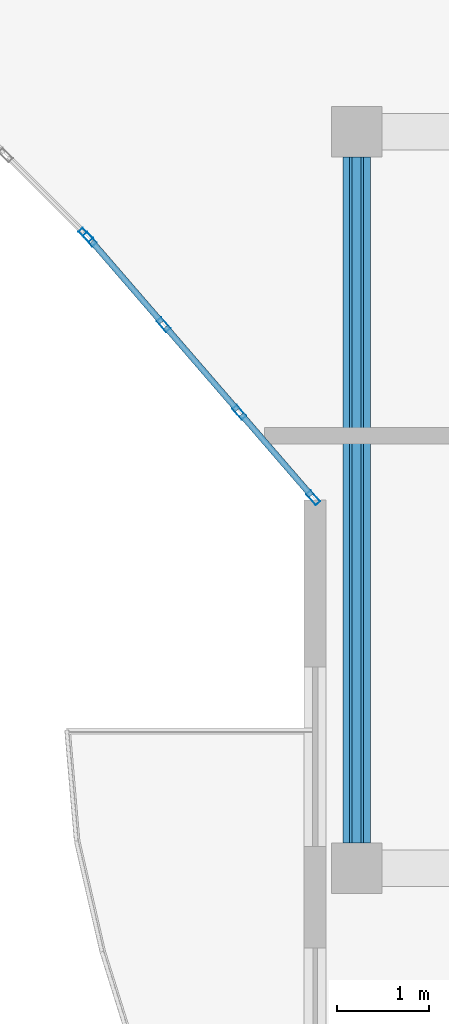
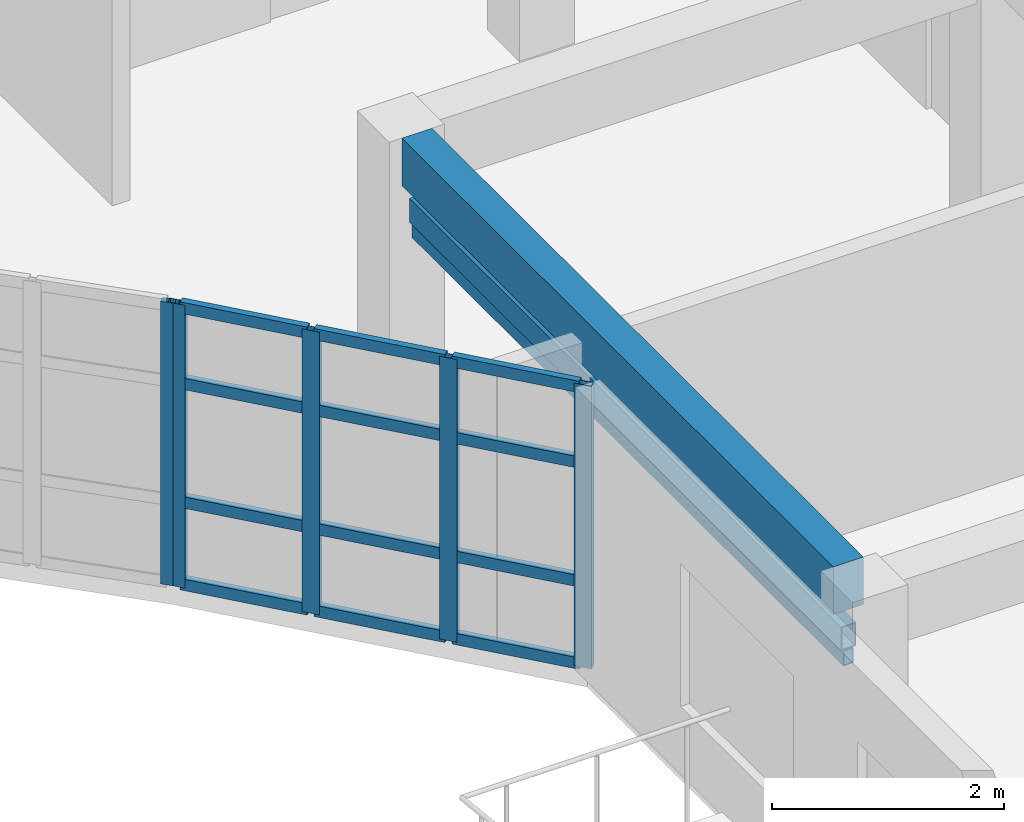
# One storey, part 9 of 49: 19 members, 1 beam, 2 elements without a shape of their own.
"""IFC4 building model written with IfcOpenShell, lengths in metres."""

from ifc_helpers import new_model, si_unit, direction, frame, origin, origin_2d, place, context, subcontext, project, spatial, rectangle, hollow_rectangle, extrude, material, layer, layer_set, material_profile, profile_set, type_object, element, aggregate, save


model = new_model("IFC4")

# Units and contexts
model_context = context("Model", 3, precision=1e-05, world=origin(), true_north=direction((0.0, 1.0)))
body_context = subcontext(model_context, "Body", "Model", "MODEL_VIEW")
ifc_project = project(units=[si_unit("LENGTHUNIT", "METRE"), si_unit("AREAUNIT", "SQUARE_METRE"), si_unit("VOLUMEUNIT", "CUBIC_METRE"), si_unit("PLANEANGLEUNIT", "RADIAN"), si_unit("MASSUNIT", "GRAM", prefix="KILO")], contexts=[model_context])

# Site, building, storey
site_placement = place(None, origin())
site = spatial("IfcSite", under=ifc_project, at=site_placement, CompositionType="ELEMENT")
building_placement = place(site_placement, origin())
building = spatial("IfcBuilding", under=site, at=building_placement, Name="Keldmere Railside Commons", CompositionType="ELEMENT")
storey_placement = place(building_placement, frame((0.0, 0.0, 29.760009765625)))
storey = spatial("IfcBuildingStorey", under=building, at=storey_placement, Name="L09", CompositionType="ELEMENT", Elevation=29.760009765625)

# Member
ifc_material_1 = material(Name="Steel F-36 (S355)", Category="steel")
ifc_material_profile_1 = material_profile(ifc_material_1, hollow_rectangle(XDim=0.14990234375, YDim=0.25, WallThickness=0.010009765625, at=origin_2d()), Name="RHS-250x150x10")
ifc_profile_set_1 = profile_set([ifc_material_profile_1], Name="Steel F-36 (S355)")
member_type_1 = type_object("IfcMemberType", Name="Balcony Continuous Planted Trough RHS250x150", PredefinedType="CHORD", material=ifc_profile_set_1)
member_1_placement = place(storey_placement, frame((104.449951171875, 88.27490234375, 2.4150390625), z_axis=(0.0, 1.0, 0.0), x_axis=(-1.0, 0.0, 0.0)))
element("IfcMember", 1, at=member_1_placement, inside=storey, type_object=member_type_1, Name="PLT-1 MEM-BPLT-0947", PredefinedType="CHORD", context=body_context, shape_type="SweptSolid", body=[
    extrude(hollow_rectangle(XDim=0.14990234375, YDim=0.25, WallThickness=0.010009765625, at=origin_2d()), origin(), (0.0, 0.0, 1.0), 7.4501953125),
])

# Beam
ifc_material_2 = material(Name="Concrete H-30 (C30/37)", Category="concrete")
ifc_material_profile_2 = material_profile(ifc_material_2, rectangle(XDim=0.300048828125, YDim=0.5, at=origin_2d()), Name="RC-300x500")
ifc_profile_set_2 = profile_set([ifc_material_profile_2], Name="Concrete H-30 (C30/37)")
beam_type = type_object("IfcBeamType", Name="Secondary Frame RC Beam 300x500", PredefinedType="BEAM", material=ifc_profile_set_2)
beam_placement = place(storey_placement, frame((104.449951171875, 88.27490234375, 2.949951171875), z_axis=(0.0, 1.0, 0.0), x_axis=(-1.0, 0.0, 0.0)))
element("IfcBeam", 2, at=beam_placement, inside=storey, type_object=beam_type, Name="BG-5 BM-L09-2335", PredefinedType="BEAM", context=body_context, shape_type="SweptSolid", body=[
    extrude(rectangle(XDim=0.300048828125, YDim=0.5, at=origin_2d()), origin(), (0.0, 0.0, 1.0), 7.4501953125),
])

# Member
ifc_material_profile_3 = material_profile(ifc_material_1, hollow_rectangle(XDim=0.10009765625, YDim=0.159912109375, WallThickness=0.008056640625, at=origin_2d()), Name="RHS-160x100x8")
ifc_profile_set_3 = profile_set([ifc_material_profile_3], Name="Steel F-36 (S355)")
member_type_2 = type_object("IfcMemberType", Name="Solar Brise-Soleil Louvre Fin RHS160x100", PredefinedType="STRUT", material=ifc_profile_set_3)
member_2_placement = place(storey_placement, frame((104.449951171875, 88.27490234375, 2.199951171875), z_axis=(0.0, 1.0, 0.0), x_axis=(-1.0, 0.0, 0.0)))
element("IfcMember", 3, at=member_2_placement, inside=storey, type_object=member_type_2, Name="BSF-1 MEM-BSF-0948", PredefinedType="STRUT", context=body_context, shape_type="SweptSolid", body=[
    extrude(hollow_rectangle(XDim=0.10009765625, YDim=0.159912109375, WallThickness=0.008056640625, at=origin_2d()), origin(), (0.0, 0.0, 1.0), 7.4501953125),
])

# Curtain wall, member
ifc_material_3 = material(Name="Thermally Broken Aluminium", Category="aluminium")
ifc_layer_1 = layer(ifc_material_3, 0.159912109375, Name="Court Chord Wintergarden CW 5400x2850")
ifc_layer_set_1 = layer_set([ifc_layer_1], Name="Thermally Broken Aluminium")
curtain_wall_type_1 = type_object("IfcCurtainWallType", Name="Court Chord Wintergarden CW 5400x2850", PredefinedType="NOTDEFINED", material=ifc_layer_set_1)
curtain_wall_1_placement = place(storey_placement, origin())
curtain_wall_1 = element("IfcCurtainWall", 4, at=curtain_wall_1_placement, inside=storey, type_object=curtain_wall_type_1, Name="CW-13 CW-L09-143", PredefinedType="NOTDEFINED")
ifc_material_profile_4 = material_profile(ifc_material_3, hollow_rectangle(XDim=0.06494140625, YDim=0.159912109375, WallThickness=0.00390625, at=origin_2d()), Name="ALU-MULL-65x160")
ifc_profile_set_4 = profile_set([ifc_material_profile_4], Name="Thermally Broken Aluminium")
member_type_3 = type_object("IfcMemberType", Name="Unitised Curtain Wall Mullion 65x160", PredefinedType="MULLION", material=ifc_profile_set_4)
member_3_placement = place(storey_placement, frame((101.507080078125, 94.880859375, 0.0), z_axis=(0.0, 0.0, 1.0), x_axis=(-0.707106781187, -0.707106781187, 0.0)))
member_3 = element("IfcMember", 5, at=member_3_placement, type_object=member_type_3, Name="CW-13 mullion 1", PredefinedType="MULLION", context=body_context, shape_type="SweptSolid", body=[
    extrude(hollow_rectangle(XDim=0.06494140625, YDim=0.159912109375, WallThickness=0.00390625, at=origin_2d()), origin(), (0.0, 0.0, 1.0), 2.97998046875),
])
aggregate(curtain_wall_1, [member_3])

# Curtain wall, members
ifc_layer_2 = layer(ifc_material_3, 0.159912109375, Name="Court Chord Wintergarden CW 4800x2850")
ifc_layer_set_2 = layer_set([ifc_layer_2], Name="Thermally Broken Aluminium")
curtain_wall_type_2 = type_object("IfcCurtainWallType", Name="Court Chord Wintergarden CW 4800x2850", PredefinedType="NOTDEFINED", material=ifc_layer_set_2)
curtain_wall_2_placement = place(storey_placement, origin())
curtain_wall_2 = element("IfcCurtainWall", 6, at=curtain_wall_2_placement, inside=storey, type_object=curtain_wall_type_2, Name="CW-12 CW-L09-144", PredefinedType="NOTDEFINED")
member_4_placement = place(storey_placement, frame((103.978759765625, 92.024658203125, 0.0), z_axis=(0.0, 0.0, 1.0), x_axis=(-0.756596767584, -0.653881741053, 0.0)))
member_4 = element("IfcMember", 7, at=member_4_placement, type_object=member_type_3, Name="CW-12 mullion 1", PredefinedType="MULLION", context=body_context, shape_type="SweptSolid", body=[
    extrude(hollow_rectangle(XDim=0.06494140625, YDim=0.159912109375, WallThickness=0.00390625, at=origin_2d()), origin(), (0.0, 0.0, 1.0), 2.97998046875),
])
member_5_placement = place(storey_placement, frame((103.1767578125, 92.95263671875, 0.0), z_axis=(0.0, 0.0, 1.0), x_axis=(-0.756596767584, -0.653881741053, 0.0)))
member_5 = element("IfcMember", 8, at=member_5_placement, type_object=member_type_3, Name="CW-12 mullion 2", PredefinedType="MULLION", context=body_context, shape_type="SweptSolid", body=[
    extrude(hollow_rectangle(XDim=0.06494140625, YDim=0.159912109375, WallThickness=0.00390625, at=origin_2d()), origin(), (0.0, 0.0, 1.0), 2.97998046875),
])
member_6_placement = place(storey_placement, frame((102.353271484375, 93.9052734375, 0.0), z_axis=(0.0, 0.0, 1.0), x_axis=(-0.756596767584, -0.653881741053, 0.0)))
member_6 = element("IfcMember", 9, at=member_6_placement, type_object=member_type_3, Name="CW-12 mullion 3", PredefinedType="MULLION", context=body_context, shape_type="SweptSolid", body=[
    extrude(hollow_rectangle(XDim=0.06494140625, YDim=0.159912109375, WallThickness=0.00390625, at=origin_2d()), origin(), (0.0, 0.0, 1.0), 2.97998046875),
])
member_7_placement = place(storey_placement, frame((101.55126953125, 94.83349609375, 0.0), z_axis=(0.0, 0.0, 1.0), x_axis=(-0.756596767584, -0.653881741053, 0.0)))
member_7 = element("IfcMember", 10, at=member_7_placement, type_object=member_type_3, Name="CW-12 mullion 4", PredefinedType="MULLION", context=body_context, shape_type="SweptSolid", body=[
    extrude(hollow_rectangle(XDim=0.06494140625, YDim=0.159912109375, WallThickness=0.00390625, at=origin_2d()), origin(), (0.0, 0.0, 1.0), 2.97998046875),
])
ifc_material_profile_5 = material_profile(ifc_material_3, hollow_rectangle(XDim=0.06494140625, YDim=0.1201171875, WallThickness=0.00390625, at=origin_2d()), Name="ALU-TRAN-65x120")
ifc_profile_set_5 = profile_set([ifc_material_profile_5], Name="Thermally Broken Aluminium")
member_type_4 = type_object("IfcMemberType", Name="Unitised Curtain Wall Transom 65x120", PredefinedType="USERDEFINED", material=ifc_profile_set_5)
member_8_placement = place(storey_placement, frame((103.95751953125, 92.049072265625, 0.032470703125), z_axis=(-0.653849663033, 0.756624489527, 0.0), x_axis=(-0.756624489527, -0.653849663033, 0.0)))
member_8 = element("IfcMember", 11, at=member_8_placement, type_object=member_type_4, Name="CW-12 transom 1.1", ObjectType="TRANSOM", PredefinedType="USERDEFINED", context=body_context, shape_type="SweptSolid", body=[
    extrude(hollow_rectangle(XDim=0.06494140625, YDim=0.1201171875, WallThickness=0.00390625, at=origin_2d()), origin(), (0.0, 0.0, 1.0), 1.16162109375),
])
member_9_placement = place(storey_placement, frame((103.95751953125, 92.049072265625, 0.89990234375), z_axis=(-0.653849663033, 0.756624489527, 0.0), x_axis=(-0.756624489527, -0.653849663033, 0.0)))
member_9 = element("IfcMember", 12, at=member_9_placement, type_object=member_type_4, Name="CW-12 transom 1.2", ObjectType="TRANSOM", PredefinedType="USERDEFINED", context=body_context, shape_type="SweptSolid", body=[
    extrude(hollow_rectangle(XDim=0.06494140625, YDim=0.1201171875, WallThickness=0.00390625, at=origin_2d()), origin(), (0.0, 0.0, 1.0), 1.16162109375),
])
member_10_placement = place(storey_placement, frame((103.95751953125, 92.049072265625, 2.14990234375), z_axis=(-0.653849663033, 0.756624489527, 0.0), x_axis=(-0.756624489527, -0.653849663033, 0.0)))
member_10 = element("IfcMember", 13, at=member_10_placement, type_object=member_type_4, Name="CW-12 transom 1.3", ObjectType="TRANSOM", PredefinedType="USERDEFINED", context=body_context, shape_type="SweptSolid", body=[
    extrude(hollow_rectangle(XDim=0.06494140625, YDim=0.1201171875, WallThickness=0.00390625, at=origin_2d()), origin(), (0.0, 0.0, 1.0), 1.16162109375),
])
member_11_placement = place(storey_placement, frame((103.95751953125, 92.049072265625, 2.947509765625), z_axis=(-0.653849663033, 0.756624489527, 0.0), x_axis=(-0.756624489527, -0.653849663033, 0.0)))
member_11 = element("IfcMember", 14, at=member_11_placement, type_object=member_type_4, Name="CW-12 transom 1.4", ObjectType="TRANSOM", PredefinedType="USERDEFINED", context=body_context, shape_type="SweptSolid", body=[
    extrude(hollow_rectangle(XDim=0.06494140625, YDim=0.1201171875, WallThickness=0.00390625, at=origin_2d()), origin(), (0.0, 0.0, 1.0), 1.16162109375),
])
member_12_placement = place(storey_placement, frame((103.155517578125, 92.977294921875, 0.032470703125), z_axis=(-0.653933819796, 0.756551755881, 0.0), x_axis=(-0.756551755881, -0.653933819796, 0.0)))
member_12 = element("IfcMember", 15, at=member_12_placement, type_object=member_type_4, Name="CW-12 transom 2.1", ObjectType="TRANSOM", PredefinedType="USERDEFINED", context=body_context, shape_type="SweptSolid", body=[
    extrude(hollow_rectangle(XDim=0.06494140625, YDim=0.1201171875, WallThickness=0.00390625, at=origin_2d()), origin(), (0.0, 0.0, 1.0), 1.1943359375),
])
member_13_placement = place(storey_placement, frame((103.155517578125, 92.977294921875, 0.89990234375), z_axis=(-0.653933819796, 0.756551755881, 0.0), x_axis=(-0.756551755881, -0.653933819796, 0.0)))
member_13 = element("IfcMember", 16, at=member_13_placement, type_object=member_type_4, Name="CW-12 transom 2.2", ObjectType="TRANSOM", PredefinedType="USERDEFINED", context=body_context, shape_type="SweptSolid", body=[
    extrude(hollow_rectangle(XDim=0.06494140625, YDim=0.1201171875, WallThickness=0.00390625, at=origin_2d()), origin(), (0.0, 0.0, 1.0), 1.1943359375),
])
member_14_placement = place(storey_placement, frame((103.155517578125, 92.977294921875, 2.14990234375), z_axis=(-0.653933819796, 0.756551755881, 0.0), x_axis=(-0.756551755881, -0.653933819796, 0.0)))
member_14 = element("IfcMember", 17, at=member_14_placement, type_object=member_type_4, Name="CW-12 transom 2.3", ObjectType="TRANSOM", PredefinedType="USERDEFINED", context=body_context, shape_type="SweptSolid", body=[
    extrude(hollow_rectangle(XDim=0.06494140625, YDim=0.1201171875, WallThickness=0.00390625, at=origin_2d()), origin(), (0.0, 0.0, 1.0), 1.1943359375),
])
member_15_placement = place(storey_placement, frame((103.155517578125, 92.977294921875, 2.947509765625), z_axis=(-0.653933819796, 0.756551755881, 0.0), x_axis=(-0.756551755881, -0.653933819796, 0.0)))
member_15 = element("IfcMember", 18, at=member_15_placement, type_object=member_type_4, Name="CW-12 transom 2.4", ObjectType="TRANSOM", PredefinedType="USERDEFINED", context=body_context, shape_type="SweptSolid", body=[
    extrude(hollow_rectangle(XDim=0.06494140625, YDim=0.1201171875, WallThickness=0.00390625, at=origin_2d()), origin(), (0.0, 0.0, 1.0), 1.1943359375),
])
member_16_placement = place(storey_placement, frame((102.33203125, 93.929931640625, 0.032470703125), z_axis=(-0.653849663033, 0.756624489527, 0.0), x_axis=(-0.756624489527, -0.653849663033, 0.0)))
member_16 = element("IfcMember", 19, at=member_16_placement, type_object=member_type_4, Name="CW-12 transom 3.1", ObjectType="TRANSOM", PredefinedType="USERDEFINED", context=body_context, shape_type="SweptSolid", body=[
    extrude(hollow_rectangle(XDim=0.06494140625, YDim=0.1201171875, WallThickness=0.00390625, at=origin_2d()), origin(), (0.0, 0.0, 1.0), 1.16162109375),
])
member_17_placement = place(storey_placement, frame((102.33203125, 93.929931640625, 0.89990234375), z_axis=(-0.653849663033, 0.756624489527, 0.0), x_axis=(-0.756624489527, -0.653849663033, 0.0)))
member_17 = element("IfcMember", 20, at=member_17_placement, type_object=member_type_4, Name="CW-12 transom 3.2", ObjectType="TRANSOM", PredefinedType="USERDEFINED", context=body_context, shape_type="SweptSolid", body=[
    extrude(hollow_rectangle(XDim=0.06494140625, YDim=0.1201171875, WallThickness=0.00390625, at=origin_2d()), origin(), (0.0, 0.0, 1.0), 1.16162109375),
])
member_18_placement = place(storey_placement, frame((102.33203125, 93.929931640625, 2.14990234375), z_axis=(-0.653849663033, 0.756624489527, 0.0), x_axis=(-0.756624489527, -0.653849663033, 0.0)))
member_18 = element("IfcMember", 21, at=member_18_placement, type_object=member_type_4, Name="CW-12 transom 3.3", ObjectType="TRANSOM", PredefinedType="USERDEFINED", context=body_context, shape_type="SweptSolid", body=[
    extrude(hollow_rectangle(XDim=0.06494140625, YDim=0.1201171875, WallThickness=0.00390625, at=origin_2d()), origin(), (0.0, 0.0, 1.0), 1.16162109375),
])
member_19_placement = place(storey_placement, frame((102.33203125, 93.929931640625, 2.947509765625), z_axis=(-0.653849663033, 0.756624489527, 0.0), x_axis=(-0.756624489527, -0.653849663033, 0.0)))
member_19 = element("IfcMember", 22, at=member_19_placement, type_object=member_type_4, Name="CW-12 transom 3.4", ObjectType="TRANSOM", PredefinedType="USERDEFINED", context=body_context, shape_type="SweptSolid", body=[
    extrude(hollow_rectangle(XDim=0.06494140625, YDim=0.1201171875, WallThickness=0.00390625, at=origin_2d()), origin(), (0.0, 0.0, 1.0), 1.16162109375),
])
aggregate(curtain_wall_2, [member_4, member_5, member_6, member_7, member_8, member_9, member_10, member_11, member_12, member_13, member_14, member_15, member_16, member_17, member_18, member_19])

save(model, "model.ifc")
